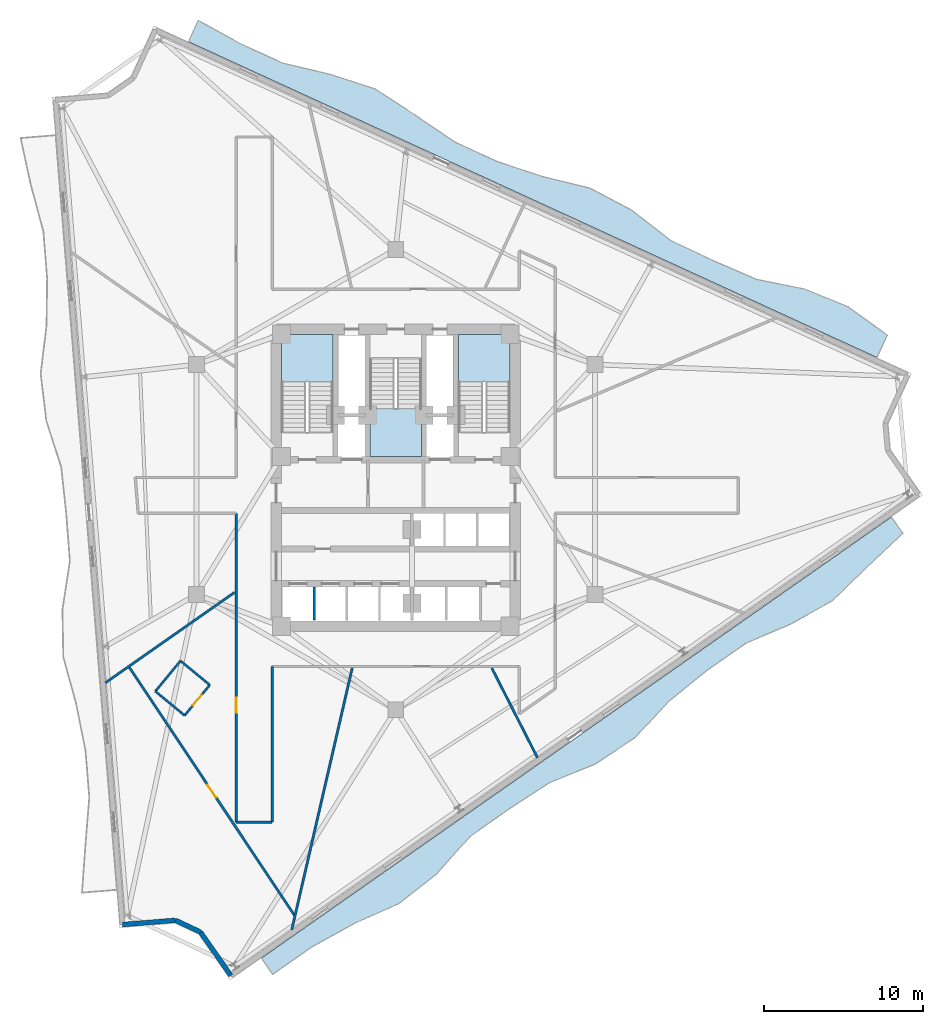
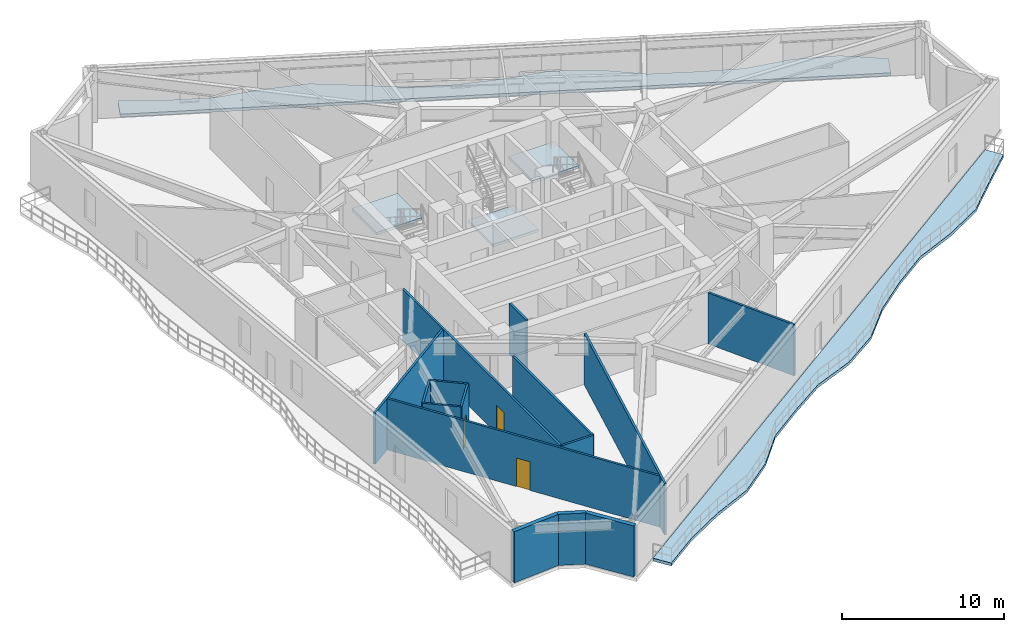
# One storey, part 4 of 11: 15 walls, 5 slabs, 3 doors, 3 openings, 3 elements without a shape of their own.
"""IFC4 building model written with IfcOpenShell, lengths in metres."""

from ifc_helpers import new_model, si_unit, direction, frame, frame_2d, origin, place, context, subcontext, project, spatial, polyline, rectangle, outline, extrude, material, layer, layer_set, type_object, element, fill, aggregate, save


model = new_model("IFC4")

# Units and contexts
model_context = context("Model", 3, precision=1e-05, world=origin(), true_north=direction((0.0, 1.0)))
body_context = subcontext(model_context, "Body", "Model", "MODEL_VIEW")
ifc_project = project(units=[si_unit("LENGTHUNIT", "METRE"), si_unit("AREAUNIT", "SQUARE_METRE"), si_unit("VOLUMEUNIT", "CUBIC_METRE"), si_unit("PLANEANGLEUNIT", "RADIAN"), si_unit("MASSUNIT", "GRAM", prefix="KILO")], contexts=[model_context])

# Site, building, storey
site_placement = place(None, origin())
site = spatial("IfcSite", under=ifc_project, at=site_placement, CompositionType="ELEMENT")
building_placement = place(site_placement, origin())
building = spatial("IfcBuilding", under=site, at=building_placement, Name="Apsidion Concourse Tower", CompositionType="ELEMENT")
storey_placement = place(building_placement, frame((0.0, 0.0, 214.699951171875)))
storey = spatial("IfcBuildingStorey", under=building, at=storey_placement, Name="L50", CompositionType="ELEMENT", Elevation=214.699951171875)

# Slabs
ifc_material_1 = material(Name="Concrete C50/60", Category="concrete")
ifc_layer_1 = layer(ifc_material_1, 0.219970703125)
ifc_layer_set_1 = layer_set([ifc_layer_1], Name="Concrete C50/60")
slab_type_1 = type_object("IfcSlabType", Name="SL-BAL-220", PredefinedType="FLOOR", material=ifc_layer_set_1)
slab_1_placement = place(storey_placement, frame((0.0, 0.0, -0.219970703125)))
element("IfcSlab", 1, at=slab_1_placement, inside=storey, type_object=slab_type_1, Name="L50 Face 2 Rippling Balcony Slab", PredefinedType="FLOOR", context=body_context, shape_type="SweptSolid", body=[
    extrude(outline(polyline([(-8.46728515625, -30.153564453125), (-5.986083984375, -28.416259765625), (-3.5048828125, -26.678955078125), (-1.023681640625, -24.941650390625), (1.457275390625, -23.204345703125), (3.9384765625, -21.467041015625), (6.419677734375, -19.729736328125), (8.90087890625, -17.992431640625), (11.3818359375, -16.255126953125), (13.863037109375, -14.517578125), (16.34423828125, -12.780517578125), (18.8251953125, -11.043212890625), (21.306396484375, -9.305908203125), (23.78759765625, -7.568603515625), (26.268798828125, -5.831298828125), (28.75, -4.093994140625), (31.23095703125, -2.356689453125), (31.947998046875, -3.380615234375), (29.72119140625, -5.48095703125), (27.52587890625, -7.626708984375), (24.868408203125, -9.112060546875), (22.0234375, -10.329833984375), (19.542236328125, -12.067138671875), (17.19091796875, -13.98974609375), (15.080078125, -16.256103515625), (12.557373046875, -17.933837890625), (9.6748046875, -19.097900390625), (7.13671875, -20.753662109375), (4.66552734375, -22.50537109375), (2.597900390625, -24.8330078125), (0.21435546875, -26.7099609375), (-2.607421875, -27.960693359375), (-5.26904296875, -29.440185546875), (-7.750244140625, -31.177490234375), (-8.46728515625, -30.153564453125)])), origin(), (0.0, 0.0, 1.0), 0.219970703125),
])
slab_2_placement = place(storey_placement, frame((0.0, 0.0, -0.219970703125)))
element("IfcSlab", 2, at=slab_2_placement, inside=storey, type_object=slab_type_1, Name="L50 Face 3 Rippling Balcony Slab", PredefinedType="FLOOR", context=body_context, shape_type="SweptSolid", body=[
    extrude(outline(polyline([(30.32080078125, 7.6865234375), (27.609375, 8.93017578125), (24.898193359375, 10.174072265625), (22.186767578125, 11.417724609375), (19.475341796875, 12.661376953125), (16.76416015625, 13.9052734375), (14.052734375, 15.14892578125), (11.34130859375, 16.392578125), (8.630126953125, 17.636474609375), (5.918701171875, 18.880126953125), (3.20751953125, 20.123779296875), (0.49609375, 21.36767578125), (-2.215087890625, 22.611328125), (-4.926513671875, 23.85498046875), (-7.637939453125, 25.098876953125), (-10.34912109375, 26.342529296875), (-13.060546875, 27.586181640625), (-12.443115234375, 28.93212890625), (-9.827880859375, 27.478759765625), (-7.11669921875, 26.235107421875), (-4.1552734375, 25.53662109375), (-1.298828125, 24.609130859375), (1.227294921875, 22.9619140625), (3.728515625, 21.260009765625), (6.43994140625, 20.016357421875), (9.290771484375, 19.076904296875), (12.24267578125, 18.357421875), (14.8828125, 16.95849609375), (17.29833984375, 15.06982421875), (19.99658203125, 13.797607421875), (22.734375, 12.611328125), (25.738525390625, 12.006103515625), (28.50537109375, 10.88330078125), (30.967041015625, 9.09521484375), (30.32080078125, 7.6865234375)])), origin(), (0.0, 0.0, 1.0), 0.219970703125),
])

# Stair, slab
ifc_material_2 = material(Name="Precast concrete C40/50", Category="concrete")
stair_type = type_object("IfcStairType", Name="ST-DL-1550", PredefinedType="HALF_TURN_STAIR", material=ifc_material_2)
stair_1_placement = place(storey_placement, origin())
stair_1 = element("IfcStair", 3, at=stair_1_placement, inside=storey, type_object=stair_type, Name="L50 Protected Core Exit Stair ST1", PredefinedType="HALF_TURN_STAIR")
ifc_layer_2 = layer(ifc_material_1, 0.199951171875)
ifc_layer_set_2 = layer_set([ifc_layer_2], Name="Concrete C50/60")
slab_type_2 = type_object("IfcSlabType", Name="SL-ST-LAND-200", PredefinedType="LANDING", material=ifc_layer_set_2)
slab_3_placement = place(storey_placement, frame((0.0, 0.0, 1.85009765625)))
slab_3 = element("IfcSlab", 4, at=slab_3_placement, type_object=slab_type_2, Name="ST1 landing 1", PredefinedType="LANDING", context=body_context, shape_type="SweptSolid", body=[
    extrude(outline(polyline([(-3.949951171875, 6.135009765625), (-3.949951171875, 9.14990234375), (-7.199951171875, 9.14990234375), (-7.199951171875, 6.135009765625), (-3.949951171875, 6.135009765625)])), origin(), (0.0, 0.0, 1.0), 0.199951171875),
])
aggregate(stair_1, [slab_3])

stair_2_placement = place(storey_placement, origin())
stair_2 = element("IfcStair", 5, at=stair_2_placement, inside=storey, type_object=stair_type, Name="L50 Protected Core Exit Stair ST2", PredefinedType="HALF_TURN_STAIR")
slab_4_placement = place(storey_placement, frame((0.0, 0.0, 1.85009765625)))
slab_4 = element("IfcSlab", 6, at=slab_4_placement, type_object=slab_type_2, Name="ST2 landing 1", PredefinedType="LANDING", context=body_context, shape_type="SweptSolid", body=[
    extrude(outline(polyline([(7.199951171875, 6.135009765625), (7.199951171875, 9.14990234375), (3.949951171875, 9.14990234375), (3.949951171875, 6.135009765625), (7.199951171875, 6.135009765625)])), origin(), (0.0, 0.0, 1.0), 0.199951171875),
])
aggregate(stair_2, [slab_4])

stair_3_placement = place(storey_placement, origin())
stair_3 = element("IfcStair", 7, at=stair_3_placement, inside=storey, type_object=stair_type, Name="L50 Protected Core Exit Stair ST3", PredefinedType="HALF_TURN_STAIR")
slab_5_placement = place(storey_placement, frame((0.0, 0.0, 1.85009765625)))
slab_5 = element("IfcSlab", 8, at=slab_5_placement, type_object=slab_type_2, Name="ST3 landing 1", PredefinedType="LANDING", context=body_context, shape_type="SweptSolid", body=[
    extrude(outline(polyline([(-1.625, 4.465087890625), (-1.625, 1.449951171875), (1.625, 1.449951171875), (1.625, 4.465087890625), (-1.625, 4.465087890625)])), origin(), (0.0, 0.0, 1.0), 0.199951171875),
])
aggregate(stair_3, [slab_5])

# Walls
ifc_layer_3 = layer(ifc_material_2, 0.300048828125)
ifc_layer_set_3 = layer_set([ifc_layer_3], Name="Precast concrete C40/50")
wall_type_1 = type_object("IfcWallType", Name="WL-EXT-300", PredefinedType="STANDARD", material=ifc_layer_set_3)
wall_1_placement = place(storey_placement, frame((-10.384033203125, -31.251708984375, 0.0), z_axis=(0.0, 0.0, 1.0), x_axis=(-0.573550493689, 0.819170208925, 0.0)))
element("IfcWall", 9, at=wall_1_placement, inside=storey, type_object=wall_type_1, Name="L50 Precast Stone Facade Wall 06", PredefinedType="STANDARD", context=body_context, shape_type="SweptSolid", body=[
    extrude(rectangle(XDim=3.345703125, YDim=0.300048828125, at=frame_2d((1.6728515625, 0.0))), origin(), (0.0, 0.0, 1.0), 3.85009765625),
])
wall_2_placement = place(storey_placement, frame((-12.302978515625, -28.510986328125, 0.0), z_axis=(0.0, 0.0, 1.0), x_axis=(-0.904974111733, 0.425466634523, 0.0)))
element("IfcWall", 10, at=wall_2_placement, inside=storey, type_object=wall_type_1, Name="L50 Precast Stone Facade Wall 07", PredefinedType="STANDARD", context=body_context, shape_type="SweptSolid", body=[
    extrude(rectangle(XDim=1.743896484375, YDim=0.300048828125, at=frame_2d((0.8720703125, 0.0))), origin(), (0.0, 0.0, 1.0), 3.85009765625),
])
wall_3_placement = place(storey_placement, frame((-13.881103515625, -27.76904296875, 0.0), z_axis=(0.0, 0.0, 1.0), x_axis=(-0.996720145674, -0.080925590567, 0.0)))
element("IfcWall", 11, at=wall_3_placement, inside=storey, type_object=wall_type_1, Name="L50 Precast Stone Facade Wall 08", PredefinedType="STANDARD", context=body_context, shape_type="SweptSolid", body=[
    extrude(rectangle(XDim=3.345703125, YDim=0.300048828125, at=frame_2d((1.6728515625, 0.0))), origin(), (0.0, 0.0, 1.0), 3.85009765625),
])
ifc_material_3 = material(Name="Gypsum plasterboard partition")
ifc_layer_4 = layer(ifc_material_3, 0.139892578125)
ifc_layer_set_4 = layer_set([ifc_layer_4], Name="Gypsum plasterboard partition")
wall_type_2 = type_object("IfcWallType", Name="WL-INT-PAR-140", PredefinedType="PARTITIONING", material=ifc_layer_set_4)
wall_4_placement = place(storey_placement, frame((-13.560302734375, -11.422119140625, 0.0), z_axis=(0.0, 0.0, 1.0), x_axis=(-0.636095558867, -0.77161029023, 0.0)))
element("IfcWall", 12, at=wall_4_placement, inside=storey, type_object=wall_type_2, Name="L50 Interior Partition WL-L50-POD-OFAWC-S1", PredefinedType="PARTITIONING", context=body_context, shape_type="SweptSolid", body=[
    extrude(rectangle(XDim=2.48974609375, YDim=0.139892578125, at=frame_2d((1.244873046875, 0.0))), origin(), (0.0, 0.0, 1.0), 3.85009765625),
])
wall_5_placement = place(storey_placement, frame((-15.14404296875, -13.34326171875, 0.0), z_axis=(0.0, 0.0, 1.0), x_axis=(0.771626441335, -0.636075966401, 0.0)))
element("IfcWall", 13, at=wall_5_placement, inside=storey, type_object=wall_type_2, Name="L50 Interior Partition WL-L50-POD-OFAWC-S2", PredefinedType="PARTITIONING", context=body_context, shape_type="SweptSolid", body=[
    extrude(rectangle(XDim=2.39013671875, YDim=0.139892578125, at=frame_2d((1.195068359375, 0.0))), origin(), (0.0, 0.0, 1.0), 3.85009765625),
])

# Wall, opening, door
wall_6_placement = place(storey_placement, frame((-13.2998046875, -14.863525390625, 0.0), z_axis=(0.0, 0.0, 1.0), x_axis=(0.636047433158, 0.7716499613, 0.0)))
wall_6 = element("IfcWall", 14, at=wall_6_placement, inside=storey, type_object=wall_type_2, Name="L50 Interior Partition WL-L50-POD-OFAWC-S3", PredefinedType="PARTITIONING", context=body_context, shape_type="SweptSolid", body=[
    extrude(rectangle(XDim=2.489990234375, YDim=0.139892578125, at=frame_2d((1.2451171875, 0.0))), origin(), (0.0, 0.0, 1.0), 3.85009765625),
])
opening_1_placement = place(wall_6_placement, frame((0.804931640625, 0.0, 0.0)))
opening_1 = element("IfcOpeningElement", 15, at=opening_1_placement, cuts=wall_6, Name="Opening D-03R", PredefinedType="OPENING", context=body_context, shape_type="SweptSolid", body=[
    extrude(rectangle(XDim=0.8798828125, YDim=2.10009765625, at=frame_2d((0.43994140625, 1.050048828125))), frame((0.0, 0.080078125, 0.0), z_axis=(0.0, -1.0, 0.0), x_axis=(1.0, 0.0, 0.0)), (0.0, 0.0, 1.0), 0.159912109375),
])
ifc_material_4 = material(Name="Anodised aluminium EN AW-6063 T6", Category="aluminium")
door_type_1 = type_object("IfcDoorType", Name="DR-INT-D03R", OperationType="SINGLE_SWING_RIGHT", PredefinedType="DOOR", material=ifc_material_4)
door_1_placement = place(opening_1_placement, origin())
door_1 = element("IfcDoor", 16, at=door_1_placement, inside=storey, type_object=door_type_1, Name="L50 Office Accessible WC Door OFAWC", OperationType="SINGLE_SWING_RIGHT", OverallHeight=2.10009765625, OverallWidth=0.8798828125, PredefinedType="DOOR", context=body_context, shape_type="SweptSolid", body=[
    extrude(rectangle(XDim=0.8798828125, YDim=2.10009765625, at=frame_2d((0.43994140625, 1.050048828125))), frame((0.0, 0.02490234375, 0.0), z_axis=(0.0, -1.0, 0.0), x_axis=(1.0, 0.0, 0.0)), (0.0, 0.0, 1.0), 0.050048828125),
])
fill(opening_1, door_1)

# Walls
wall_7_placement = place(storey_placement, frame((-11.716064453125, -12.942138671875, 0.0), z_axis=(0.0, 0.0, 1.0), x_axis=(-0.771676577794, 0.636015140766, 0.0)))
element("IfcWall", 17, at=wall_7_placement, inside=storey, type_object=wall_type_2, Name="L50 Interior Partition WL-L50-POD-OFAWC-S4", PredefinedType="PARTITIONING", context=body_context, shape_type="SweptSolid", body=[
    extrude(rectangle(XDim=2.389892578125, YDim=0.139892578125, at=frame_2d((1.19482421875, 0.0))), origin(), (0.0, 0.0, 1.0), 3.85009765625),
])
ifc_layer_5 = layer(ifc_material_3, 0.14990234375)
ifc_layer_set_5 = layer_set([ifc_layer_5], Name="Gypsum plasterboard partition")
wall_type_3 = type_object("IfcWallType", Name="WL-INT-PAR-150", PredefinedType="PARTITIONING", material=ifc_layer_set_5)
wall_8_placement = place(storey_placement, frame((-5.125, -8.85009765625, 0.0), z_axis=(0.0, 0.0, 1.0), x_axis=(0.0, 1.0, 0.0)))
element("IfcWall", 18, at=wall_8_placement, inside=storey, type_object=wall_type_3, Name="L50 Interior Partition WL-L50-B2DIV-1", PredefinedType="PARTITIONING", context=body_context, shape_type="SweptSolid", body=[
    extrude(rectangle(XDim=2.080078125, YDim=0.14990234375, at=frame_2d((1.0400390625, 0.0))), origin(), (0.0, 0.0, 1.0), 3.85009765625),
])
wall_9_placement = place(storey_placement, frame((-7.7900390625, -11.77490234375, 0.0), z_axis=(0.0, 0.0, 1.0), x_axis=(0.0, -1.0, 0.0)))
element("IfcWall", 19, at=wall_9_placement, inside=storey, type_object=wall_type_3, Name="L50 Interior Partition WL-L50-CORR-04", PredefinedType="PARTITIONING", context=body_context, shape_type="SweptSolid", body=[
    extrude(rectangle(XDim=9.80517578125, YDim=0.14990234375, at=frame_2d((4.902587890625, 0.0))), origin(), (0.0, 0.0, 1.0), 3.85009765625),
])
wall_10_placement = place(storey_placement, frame((-7.7900390625, -21.580078125, 0.0), z_axis=(0.0, 0.0, 1.0), x_axis=(-1.0, 0.0, 0.0)))
element("IfcWall", 20, at=wall_10_placement, inside=storey, type_object=wall_type_3, Name="L50 Interior Partition WL-L50-CORR-05", PredefinedType="PARTITIONING", context=body_context, shape_type="SweptSolid", body=[
    extrude(rectangle(XDim=2.260009765625, YDim=0.14990234375, at=frame_2d((1.1298828125, 0.0))), origin(), (0.0, 0.0, 1.0), 3.85009765625),
])

# Wall, opening, door
wall_11_placement = place(storey_placement, frame((-10.050048828125, -21.580078125, 0.0), z_axis=(0.0, 0.0, 1.0), x_axis=(0.0, 1.0, 0.0)))
wall_11 = element("IfcWall", 21, at=wall_11_placement, inside=storey, type_object=wall_type_3, Name="L50 Interior Partition WL-L50-CORR-06", PredefinedType="PARTITIONING", context=body_context, shape_type="SweptSolid", body=[
    extrude(rectangle(XDim=19.4501953125, YDim=0.14990234375, at=frame_2d((9.72509765625, 0.0))), origin(), (0.0, 0.0, 1.0), 3.85009765625),
])
opening_2_placement = place(wall_11_placement, frame((6.88671875, 0.0, 0.0)))
opening_2 = element("IfcOpeningElement", 22, at=opening_2_placement, cuts=wall_11, Name="Opening D-01L", PredefinedType="OPENING", context=body_context, shape_type="SweptSolid", body=[
    extrude(rectangle(XDim=0.949951171875, YDim=2.14990234375, at=frame_2d((0.47509765625, 1.074951171875))), frame((0.0, 0.0849609375, 0.0), z_axis=(0.0, -1.0, 0.0), x_axis=(1.0, 0.0, 0.0)), (0.0, 0.0, 1.0), 0.169921875),
])
ifc_material_5 = material(Name="Brushed stainless steel 316", Category="steel")
door_type_2 = type_object("IfcDoorType", Name="DR-INT-D01L", OperationType="SINGLE_SWING_LEFT", PredefinedType="DOOR", material=ifc_material_5)
door_2_placement = place(opening_2_placement, origin())
door_2 = element("IfcDoor", 23, at=door_2_placement, inside=storey, type_object=door_type_2, Name="L50 Corridor Entry Door 01", OperationType="SINGLE_SWING_LEFT", OverallHeight=2.14990234375, OverallWidth=0.949951171875, PredefinedType="DOOR", context=body_context, shape_type="SweptSolid", body=[
    extrude(rectangle(XDim=0.949951171875, YDim=2.14990234375, at=frame_2d((0.47509765625, 1.074951171875))), frame((0.0, 0.02490234375, 0.0), z_axis=(0.0, -1.0, 0.0), x_axis=(1.0, 0.0, 0.0)), (0.0, 0.0, 1.0), 0.050048828125),
])
fill(opening_2, door_2)

# Walls
wall_12_placement = place(storey_placement, frame((-10.155029296875, -7.110595703125, 0.0), z_axis=(0.0, 0.0, 1.0), x_axis=(-0.81915104019, -0.573577870351, 0.0)))
element("IfcWall", 24, at=wall_12_placement, inside=storey, type_object=wall_type_3, Name="L50 Interior Partition WL-L50-RAD-06-1", PredefinedType="PARTITIONING", context=body_context, shape_type="SweptSolid", body=[
    extrude(rectangle(XDim=9.927734375, YDim=0.14990234375, at=frame_2d((4.9638671875, 0.0))), origin(), (0.0, 0.0, 1.0), 3.85009765625),
])
wall_13_placement = place(storey_placement, frame((-2.74267578125, -11.8798828125, 0.0), z_axis=(0.0, 0.0, 1.0), x_axis=(-0.224944873632, -0.974371491694, 0.0)))
element("IfcWall", 25, at=wall_13_placement, inside=storey, type_object=wall_type_3, Name="L50 Interior Partition WL-L50-RAD-07-1", PredefinedType="PARTITIONING", context=body_context, shape_type="SweptSolid", body=[
    extrude(rectangle(XDim=16.918212890625, YDim=0.14990234375, at=frame_2d((8.458984375, 0.0))), origin(), (0.0, 0.0, 1.0), 3.85009765625),
])
wall_14_placement = place(storey_placement, frame((6.05322265625, -11.8798828125, 0.0), z_axis=(0.0, 0.0, 1.0), x_axis=(0.453981183683, -0.891011270895, 0.0)))
element("IfcWall", 26, at=wall_14_placement, inside=storey, type_object=wall_type_3, Name="L50 Interior Partition WL-L50-RAD-08-1", PredefinedType="PARTITIONING", context=body_context, shape_type="SweptSolid", body=[
    extrude(rectangle(XDim=6.337158203125, YDim=0.14990234375, at=frame_2d((3.16845703125, 0.0))), origin(), (0.0, 0.0, 1.0), 3.85009765625),
])

# Wall, opening, door
wall_15_placement = place(storey_placement, frame((-16.807861328125, -11.799560546875, 0.0), z_axis=(0.0, 0.0, 1.0), x_axis=(0.554445846049, -0.832219804979, 0.0)))
wall_15 = element("IfcWall", 27, at=wall_15_placement, inside=storey, type_object=wall_type_3, Name="L50 Interior Partition WL-L50-CHD-OFWC", PredefinedType="PARTITIONING", context=body_context, shape_type="SweptSolid", body=[
    extrude(rectangle(XDim=18.829833984375, YDim=0.14990234375, at=frame_2d((9.4150390625, 0.0))), origin(), (0.0, 0.0, 1.0), 3.85009765625),
])
opening_3_placement = place(wall_15_placement, frame((8.93994140625, 0.0, 0.0)))
opening_3 = element("IfcOpeningElement", 28, at=opening_3_placement, cuts=wall_15, Name="Opening D-04L", PredefinedType="OPENING", context=body_context, shape_type="SweptSolid", body=[
    extrude(rectangle(XDim=0.949951171875, YDim=2.14990234375, at=frame_2d((0.47509765625, 1.074951171875))), frame((0.0, 0.0849609375, 0.0), z_axis=(0.0, -1.0, 0.0), x_axis=(1.0, 0.0, 0.0)), (0.0, 0.0, 1.0), 0.169921875),
])
door_type_3 = type_object("IfcDoorType", Name="DR-INT-D04L", OperationType="SINGLE_SWING_LEFT", PredefinedType="DOOR", material=ifc_material_5)
door_3_placement = place(opening_3_placement, origin())
door_3 = element("IfcDoor", 29, at=door_3_placement, inside=storey, type_object=door_type_3, Name="L50 Suite Connecting Door OFWC", OperationType="SINGLE_SWING_LEFT", OverallHeight=2.14990234375, OverallWidth=0.949951171875, PredefinedType="DOOR", context=body_context, shape_type="SweptSolid", body=[
    extrude(rectangle(XDim=0.949951171875, YDim=2.14990234375, at=frame_2d((0.47509765625, 1.074951171875))), frame((0.0, 0.02490234375, 0.0), z_axis=(0.0, -1.0, 0.0), x_axis=(1.0, 0.0, 0.0)), (0.0, 0.0, 1.0), 0.050048828125),
])
fill(opening_3, door_3)

save(model, "model.ifc")
